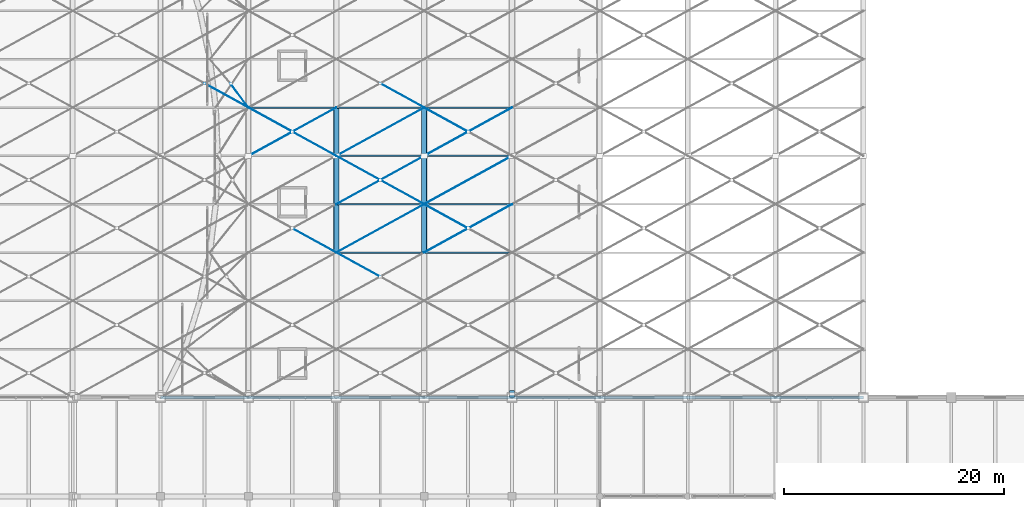
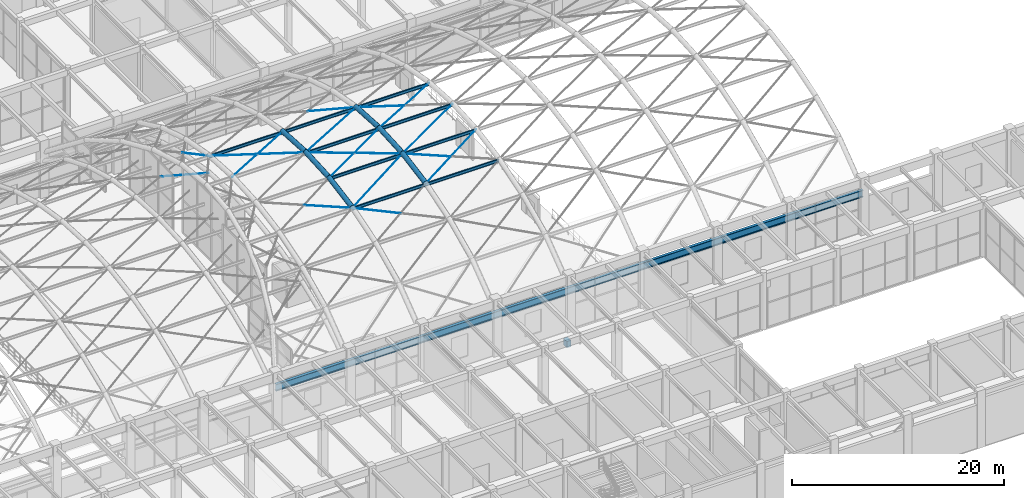
# One storey, part 46 of 163: 18 members, 17 beams.
"""IFC4 building model written with IfcOpenShell, lengths in metres."""

from ifc_helpers import new_model, si_unit, direction, frame, origin, origin_2d, place, context, subcontext, project, spatial, rectangle, circle, hollow_circle, i_section, extrude, material, material_profile, profile_set, type_object, element, save


model = new_model("IFC4")

# Units and contexts
model_context = context("Model", 3, precision=1e-05, world=origin(), true_north=direction((0.0, 1.0)))
body_context = subcontext(model_context, "Body", "Model", "MODEL_VIEW")
ifc_project = project(units=[si_unit("LENGTHUNIT", "METRE"), si_unit("AREAUNIT", "SQUARE_METRE"), si_unit("VOLUMEUNIT", "CUBIC_METRE"), si_unit("PLANEANGLEUNIT", "RADIAN"), si_unit("MASSUNIT", "GRAM", prefix="KILO")], contexts=[model_context])

# Site, building, storey
site_placement = place(None, origin())
site = spatial("IfcSite", under=ifc_project, at=site_placement, CompositionType="ELEMENT")
building_placement = place(site_placement, origin())
building = spatial("IfcBuilding", under=site, at=building_placement, Name="Varnabhumi Central Station", CompositionType="ELEMENT")
storey_placement = place(building_placement, frame((0.0, 0.0, 9.60009765625)))
storey = spatial("IfcBuildingStorey", under=building, at=storey_placement, Name="L02", CompositionType="ELEMENT", Elevation=9.60009765625)

# Beams
ifc_material_1 = material(Name="Structural steel E350", Category="steel")
ifc_material_profile_1 = material_profile(ifc_material_1, hollow_circle(Radius=0.25390625, WallThickness=0.02001953125, at=origin_2d()), Name="Structural steel E350", Category="steel")
ifc_profile_set_1 = profile_set([ifc_material_profile_1], Name="Structural steel E350")
beam_type_1 = type_object("IfcBeamType", Name="BM-ARCH-CHS508", PredefinedType="BEAM", material=ifc_profile_set_1)
beam_1_placement = place(storey_placement, frame((88.0, 49.199951171875, 11.68701171875), z_axis=(0.0, 0.983888247404, 0.17878455364), x_axis=(-1.0, 0.0, 0.0)))
element("IfcBeam", 1, at=beam_1_placement, inside=storey, type_object=beam_type_1, Name="Departure Concourse Vault Arch Rib 3 Seg 4", PredefinedType="BEAM", context=body_context, shape_type="SweptSolid", body=[
    extrude(hollow_circle(Radius=0.25390625, WallThickness=0.02001953125, at=origin_2d()), origin(), (0.0, 0.0, 1.0), 4.47216796875),
])
for number, where, z_axis, x_axis, name in (
    (2, (88.0, 53.60009765625, 12.486572265625), (0.0, 0.998212519684, 0.059764249736), (-1.0, 0.0, 0.0), "Departure Concourse Vault Arch Rib 3 Seg 5"),
    (3, (88.0, 58.0, 12.75), (0.0, 0.998212519684, -0.059764249736), (-1.0, 0.0, 0.0), "Departure Concourse Vault Arch Rib 3 Seg 6"),
):
    element("IfcBeam", number, at=place(storey_placement, frame(where, z_axis=z_axis, x_axis=x_axis)), inside=storey, type_object=beam_type_1, Name=name, PredefinedType="BEAM", context=body_context, shape_type="SweptSolid", body=[
        extrude(hollow_circle(Radius=0.25390625, WallThickness=0.02001953125, at=origin_2d()), origin(), (0.0, 0.0, 1.0), 4.40771484375),
    ])
beam_2_placement = place(storey_placement, frame((96.0, 49.199951171875, 11.68701171875), z_axis=(0.0, 0.983888247404, 0.17878455364), x_axis=(-1.0, 0.0, 0.0)))
element("IfcBeam", 4, at=beam_2_placement, inside=storey, type_object=beam_type_1, Name="Departure Concourse Vault Arch Rib 4 Seg 4", PredefinedType="BEAM", context=body_context, shape_type="SweptSolid", body=[
    extrude(hollow_circle(Radius=0.25390625, WallThickness=0.02001953125, at=origin_2d()), origin(), (0.0, 0.0, 1.0), 4.47216796875),
])
for number, where, z_axis, x_axis, name in (
    (5, (96.0, 53.60009765625, 12.486572265625), (0.0, 0.998212519684, 0.059764249736), (-1.0, 0.0, 0.0), "Departure Concourse Vault Arch Rib 4 Seg 5"),
    (6, (96.0, 58.0, 12.75), (0.0, 0.998212519684, -0.059764249736), (-1.0, 0.0, 0.0), "Departure Concourse Vault Arch Rib 4 Seg 6"),
):
    element("IfcBeam", number, at=place(storey_placement, frame(where, z_axis=z_axis, x_axis=x_axis)), inside=storey, type_object=beam_type_1, Name=name, PredefinedType="BEAM", context=body_context, shape_type="SweptSolid", body=[
        extrude(hollow_circle(Radius=0.25390625, WallThickness=0.02001953125, at=origin_2d()), origin(), (0.0, 0.0, 1.0), 4.40771484375),
    ])
ifc_material_2 = material(Name="Structural steel E450", Category="steel")
ifc_material_profile_2 = material_profile(ifc_material_2, i_section(OverallWidth=0.300048828125, OverallDepth=0.800048828125, WebThickness=0.017578125, FlangeThickness=0.032958984375, FilletRadius=0.030029296875, at=origin_2d()), Name="Structural steel E450", Category="steel")
ifc_profile_set_2 = profile_set([ifc_material_profile_2], Name="Structural steel E450")
beam_type_2 = type_object("IfcBeamType", Name="BM-CONC-WPB800", PredefinedType="BEAM", material=ifc_profile_set_2)
beam_3_placement = place(storey_placement, frame((72.0, 36.0, 4.559814453125), z_axis=(1.0, 0.0, 0.0), x_axis=(0.0, 1.0, 0.0)))
element("IfcBeam", 7, at=beam_3_placement, inside=storey, type_object=beam_type_2, Name="Departure Concourse Vault Compression Ring Beam S", PredefinedType="BEAM", context=body_context, shape_type="SweptSolid", body=[
    extrude(i_section(OverallWidth=0.300048828125, OverallDepth=0.800048828125, WebThickness=0.017578125, FlangeThickness=0.032958984375, FilletRadius=0.030029296875, at=origin_2d()), origin(), (0.0, 0.0, 1.0), 64.0),
])
ifc_material_profile_3 = material_profile(ifc_material_1, i_section(OverallWidth=0.139892578125, OverallDepth=0.35009765625, WebThickness=0.008056640625, FlangeThickness=0.01416015625, FilletRadius=0.013916015625, at=origin_2d()), Name="Structural steel E350", Category="steel")
ifc_profile_set_3 = profile_set([ifc_material_profile_3], Name="Structural steel E350")
beam_type_3 = type_object("IfcBeamType", Name="BM-PUR-ISMB350", PredefinedType="LINTEL", material=ifc_profile_set_3)
for number, where, z_axis, x_axis, name in (
    (8, (80.0, 62.39990234375, 12.3115234375), (1.0, 0.0, 0.0), (0.0, 1.0, 0.0), "Departure Concourse Vault Purlin B2-L6"),
    (9, (88.0, 49.199951171875, 11.511962890625), (1.0, 0.0, 0.0), (0.0, 1.0, 0.0), "Departure Concourse Vault Purlin B3-L3"),
    (10, (88.0, 53.60009765625, 12.3115234375), (1.0, 0.0, 0.0), (0.0, 1.0, 0.0), "Departure Concourse Vault Purlin B3-L4"),
    (11, (88.0, 58.0, 12.574951171875), (1.0, 0.0, 0.0), (0.0, 1.0, 0.0), "Departure Concourse Vault Purlin B3-L5"),
    (12, (88.0, 62.39990234375, 12.3115234375), (1.0, 0.0, 0.0), (0.0, 1.0, 0.0), "Departure Concourse Vault Purlin B3-L6"),
    (13, (96.0, 49.199951171875, 11.511962890625), (1.0, 0.0, 0.0), (0.0, 1.0, 0.0), "Departure Concourse Vault Purlin B4-L3"),
    (14, (96.0, 53.60009765625, 12.3115234375), (1.0, 0.0, 0.0), (0.0, 1.0, 0.0), "Departure Concourse Vault Purlin B4-L4"),
    (15, (96.0, 58.0, 12.574951171875), (1.0, 0.0, 0.0), (0.0, 1.0, 0.0), "Departure Concourse Vault Purlin B4-L5"),
    (16, (96.0, 62.39990234375, 12.3115234375), (1.0, 0.0, 0.0), (0.0, 1.0, 0.0), "Departure Concourse Vault Purlin B4-L6"),
):
    element("IfcBeam", number, at=place(storey_placement, frame(where, z_axis=z_axis, x_axis=x_axis)), inside=storey, type_object=beam_type_3, Name=name, PredefinedType="LINTEL", context=body_context, shape_type="SweptSolid", body=[
        extrude(i_section(OverallWidth=0.139892578125, OverallDepth=0.35009765625, WebThickness=0.008056640625, FlangeThickness=0.01416015625, FilletRadius=0.013916015625, at=origin_2d()), origin(), (0.0, 0.0, 1.0), 8.0),
    ])
ifc_material_3 = material(Name="Concrete M40", Category="concrete")
ifc_material_profile_4 = material_profile(ifc_material_3, rectangle(XDim=0.449951171875, YDim=0.75, at=origin_2d()), Name="Concrete M40", Category="concrete")
ifc_profile_set_4 = profile_set([ifc_material_profile_4], Name="Concrete M40")
beam_type_4 = type_object("IfcBeamType", Name="BM-RC-450x750", PredefinedType="BEAM", material=ifc_profile_set_4)
beam_4_placement = place(storey_placement, frame((104.0, 36.0, -1.675048828125), z_axis=(0.0, 1.0, 0.0), x_axis=(-1.0, 0.0, 0.0)))
element("IfcBeam", 17, at=beam_4_placement, inside=storey, type_object=beam_type_4, Name="Concourse Bridge 650mm Corbel Seat 104-S", PredefinedType="BEAM", context=body_context, shape_type="SweptSolid", body=[
    extrude(rectangle(XDim=0.449951171875, YDim=0.75, at=origin_2d()), origin(), (0.0, 0.0, 1.0), 0.64990234375),
])

# Members
ifc_material_4 = material(Name="Spiral-strand steel S1570", Category="steel")
ifc_material_profile_5 = material_profile(ifc_material_4, circle(Radius=0.02099609375, at=origin_2d()), Name="Spiral-strand steel S1570", Category="steel")
ifc_profile_set_5 = profile_set([ifc_material_profile_5], Name="Spiral-strand steel S1570")
member_type_1 = type_object("IfcMemberType", Name="MBR-CABLE-D42", PredefinedType="USERDEFINED", material=ifc_profile_set_5)
member_1_placement = place(storey_placement, frame((76.0, 64.60009765625, 10.091796875), z_axis=(0.873657497296, -0.48055428257, 0.076093093789), x_axis=(0.481951596342, 0.876197842262, 0.0)))
element("IfcMember", 18, at=member_1_placement, inside=storey, type_object=member_type_1, Name="Ticket Hall Vault Cable-Net Split Tie B5-P7B2", ObjectType="TENSION CABLE", PredefinedType="USERDEFINED", context=body_context, shape_type="SweptSolid", body=[
    extrude(circle(Radius=0.02099609375, at=origin_2d()), origin(), (0.0, 0.0, 1.0), 4.578369140625),
])
ifc_material_profile_6 = material_profile(ifc_material_4, circle(Radius=0.027099609375, at=origin_2d()), Name="Spiral-strand steel S1570", Category="steel")
ifc_profile_set_6 = profile_set([ifc_material_profile_6], Name="Spiral-strand steel S1570")
member_type_2 = type_object("IfcMemberType", Name="MBR-CABLE-D54", PredefinedType="USERDEFINED", material=ifc_profile_set_6)
member_2_placement = place(storey_placement, frame((78.37890625, 64.60009765625, 12.0068359375), z_axis=(0.586931843706, -0.796600869801, 0.144699913878), x_axis=(0.805073799921, 0.593174659507, 0.0)))
element("IfcMember", 19, at=member_2_placement, inside=storey, type_object=member_type_2, Name="Departure Concourse Vault Cable-Net Split Tie B1-P7B2", ObjectType="TENSION CABLE", PredefinedType="USERDEFINED", context=body_context, shape_type="SweptSolid", body=[
    extrude(circle(Radius=0.027099609375, at=origin_2d()), origin(), (0.0, 0.0, 1.0), 2.761962890625),
])
member_3_placement = place(storey_placement, frame((84.0, 51.39990234375, 12.0068359375), z_axis=(0.872877649429, -0.480072051941, -0.087266454453), x_axis=(0.481910537812, 0.876220425204, 0.0)))
element("IfcMember", 20, at=member_3_placement, inside=storey, type_object=member_type_2, Name="Departure Concourse Vault Cable-Net Split Tie B2-P4B2", ObjectType="TENSION CABLE", PredefinedType="USERDEFINED", context=body_context, shape_type="SweptSolid", body=[
    extrude(circle(Radius=0.027099609375, at=origin_2d()), origin(), (0.0, 0.0, 1.0), 4.58251953125),
])
member_4_placement = place(storey_placement, frame((80.0, 58.0, 12.669921875), z_axis=(0.875855938164, 0.481710074389, -0.028840593179), x_axis=(-0.481910537812, 0.876220425204, 0.0)))
element("IfcMember", 21, at=member_4_placement, inside=storey, type_object=member_type_2, Name="Departure Concourse Vault Cable-Net Tie B2-P6A", ObjectType="TENSION CABLE", PredefinedType="USERDEFINED", context=body_context, shape_type="SweptSolid", body=[
    extrude(circle(Radius=0.027099609375, at=origin_2d()), origin(), (0.0, 0.0, 1.0), 9.134033203125),
])
for number, where, z_axis, x_axis, name in (
    (22, (80.0, 62.39990234375, 12.406494140625), (0.875856613032, -0.481710445558, 0.028813886378), (0.481910537812, 0.876220425204, 0.0), "Departure Concourse Vault Cable-Net Split Tie B2-P6B1"),
    (23, (84.0, 60.199951171875, 12.5380859375), (0.875855262672, -0.481709702877, 0.028867299917), (0.481910537812, 0.876220425204, 0.0), "Departure Concourse Vault Cable-Net Split Tie B2-P6B2"),
):
    element("IfcMember", number, at=place(storey_placement, frame(where, z_axis=z_axis, x_axis=x_axis)), inside=storey, type_object=member_type_2, Name=name, ObjectType="TENSION CABLE", PredefinedType="USERDEFINED", context=body_context, shape_type="SweptSolid", body=[
        extrude(circle(Radius=0.027099609375, at=origin_2d()), origin(), (0.0, 0.0, 1.0), 4.56689453125),
    ])
member_5_placement = place(storey_placement, frame((88.0, 49.199951171875, 11.60693359375), z_axis=(0.866504286303, -0.476566780022, -0.148507326412), x_axis=(0.481910537812, 0.876220425204, 0.0)))
element("IfcMember", 24, at=member_5_placement, inside=storey, type_object=member_type_2, Name="Departure Concourse Vault Cable-Net Split Tie B3-P3B1", ObjectType="TENSION CABLE", PredefinedType="USERDEFINED", context=body_context, shape_type="SweptSolid", body=[
    extrude(circle(Radius=0.027099609375, at=origin_2d()), origin(), (0.0, 0.0, 1.0), 4.6162109375),
])
member_6_placement = place(storey_placement, frame((88.0, 49.199951171875, 11.60693359375), z_axis=(0.872868515511, 0.480093666231, 0.087238903451), x_axis=(-0.481931067474, 0.876209133828, 0.0)))
element("IfcMember", 25, at=member_6_placement, inside=storey, type_object=member_type_2, Name="Departure Concourse Vault Cable-Net Tie B3-P4A", ObjectType="TENSION CABLE", PredefinedType="USERDEFINED", context=body_context, shape_type="SweptSolid", body=[
    extrude(circle(Radius=0.027099609375, at=origin_2d()), origin(), (0.0, 0.0, 1.0), 9.165283203125),
])
member_7_placement = place(storey_placement, frame((88.0, 53.60009765625, 12.406494140625), z_axis=(0.875855938164, 0.481710074389, 0.028840593179), x_axis=(-0.481910537812, 0.876220425204, 0.0)))
element("IfcMember", 26, at=member_7_placement, inside=storey, type_object=member_type_2, Name="Departure Concourse Vault Cable-Net Tie B3-P5A", ObjectType="TENSION CABLE", PredefinedType="USERDEFINED", context=body_context, shape_type="SweptSolid", body=[
    extrude(circle(Radius=0.027099609375, at=origin_2d()), origin(), (0.0, 0.0, 1.0), 9.134033203125),
])
for number, where, z_axis, x_axis, name in (
    (27, (88.0, 58.0, 12.669921875), (0.875855262672, -0.481709702877, -0.028867299917), (0.481910537812, 0.876220425204, 0.0), "Departure Concourse Vault Cable-Net Split Tie B3-P5B1"),
    (28, (92.0, 55.800048828125, 12.5380859375), (0.875856613032, -0.481710445558, -0.028813886378), (0.481910537812, 0.876220425204, 0.0), "Departure Concourse Vault Cable-Net Split Tie B3-P5B2"),
):
    element("IfcMember", number, at=place(storey_placement, frame(where, z_axis=z_axis, x_axis=x_axis)), inside=storey, type_object=member_type_2, Name=name, ObjectType="TENSION CABLE", PredefinedType="USERDEFINED", context=body_context, shape_type="SweptSolid", body=[
        extrude(circle(Radius=0.027099609375, at=origin_2d()), origin(), (0.0, 0.0, 1.0), 4.56689453125),
    ])
member_8_placement = place(storey_placement, frame((88.0, 58.0, 12.669921875), z_axis=(0.875855938164, 0.481710074389, -0.028840593179), x_axis=(-0.481910537812, 0.876220425204, 0.0)))
element("IfcMember", 29, at=member_8_placement, inside=storey, type_object=member_type_2, Name="Departure Concourse Vault Cable-Net Tie B3-P6A", ObjectType="TENSION CABLE", PredefinedType="USERDEFINED", context=body_context, shape_type="SweptSolid", body=[
    extrude(circle(Radius=0.027099609375, at=origin_2d()), origin(), (0.0, 0.0, 1.0), 9.134033203125),
])
member_9_placement = place(storey_placement, frame((92.0, 64.60009765625, 12.0068359375), z_axis=(0.872859380641, -0.480115279439, 0.087211352912), x_axis=(0.481951596342, 0.876197842262, 0.0)))
element("IfcMember", 30, at=member_9_placement, inside=storey, type_object=member_type_2, Name="Departure Concourse Vault Cable-Net Split Tie B3-P7B2", ObjectType="TENSION CABLE", PredefinedType="USERDEFINED", context=body_context, shape_type="SweptSolid", body=[
    extrude(circle(Radius=0.027099609375, at=origin_2d()), origin(), (0.0, 0.0, 1.0), 4.58251953125),
])
member_10_placement = place(storey_placement, frame((96.0, 49.199951171875, 11.60693359375), z_axis=(0.872868515511, 0.480093666231, 0.087238903451), x_axis=(-0.481931067474, 0.876209133828, 0.0)))
element("IfcMember", 31, at=member_10_placement, inside=storey, type_object=member_type_2, Name="Departure Concourse Vault Cable-Net Tie B4-P4A", ObjectType="TENSION CABLE", PredefinedType="USERDEFINED", context=body_context, shape_type="SweptSolid", body=[
    extrude(circle(Radius=0.027099609375, at=origin_2d()), origin(), (0.0, 0.0, 1.0), 9.165283203125),
])
member_11_placement = place(storey_placement, frame((96.0, 53.60009765625, 12.406494140625), z_axis=(0.872859380641, -0.480115279439, -0.087211352912), x_axis=(0.481951596342, 0.876197842262, 0.0)))
element("IfcMember", 32, at=member_11_placement, inside=storey, type_object=member_type_2, Name="Departure Concourse Vault Cable-Net Split Tie B4-P4B1", ObjectType="TENSION CABLE", PredefinedType="USERDEFINED", context=body_context, shape_type="SweptSolid", body=[
    extrude(circle(Radius=0.027099609375, at=origin_2d()), origin(), (0.0, 0.0, 1.0), 4.58251953125),
])
for number, where, z_axis, x_axis, name in (
    (33, (96.0, 53.60009765625, 12.406494140625), (0.875855938164, 0.481710074389, 0.028840593179), (-0.481910537812, 0.876220425204, 0.0), "Departure Concourse Vault Cable-Net Tie B4-P5A"),
    (34, (96.0, 58.0, 12.669921875), (0.875855938164, 0.481710074389, -0.028840593179), (-0.481910537812, 0.876220425204, 0.0), "Departure Concourse Vault Cable-Net Tie B4-P6A"),
):
    element("IfcMember", number, at=place(storey_placement, frame(where, z_axis=z_axis, x_axis=x_axis)), inside=storey, type_object=member_type_2, Name=name, ObjectType="TENSION CABLE", PredefinedType="USERDEFINED", context=body_context, shape_type="SweptSolid", body=[
        extrude(circle(Radius=0.027099609375, at=origin_2d()), origin(), (0.0, 0.0, 1.0), 9.134033203125),
    ])
member_12_placement = place(storey_placement, frame((96.0, 62.39990234375, 12.406494140625), z_axis=(0.875856613032, -0.481710445558, 0.028813886378), x_axis=(0.481910537812, 0.876220425204, 0.0)))
element("IfcMember", 35, at=member_12_placement, inside=storey, type_object=member_type_2, Name="Departure Concourse Vault Cable-Net Split Tie B4-P6B1", ObjectType="TENSION CABLE", PredefinedType="USERDEFINED", context=body_context, shape_type="SweptSolid", body=[
    extrude(circle(Radius=0.027099609375, at=origin_2d()), origin(), (0.0, 0.0, 1.0), 4.56689453125),
])

save(model, "model.ifc")
